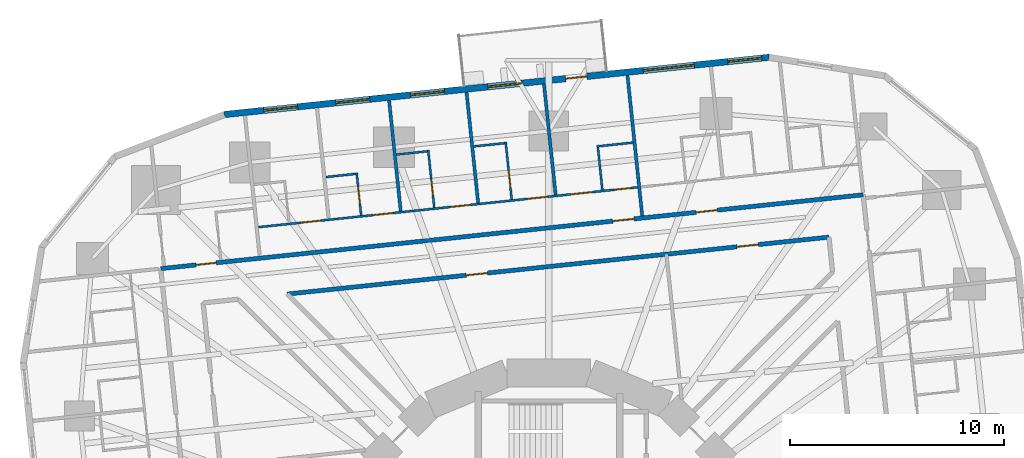
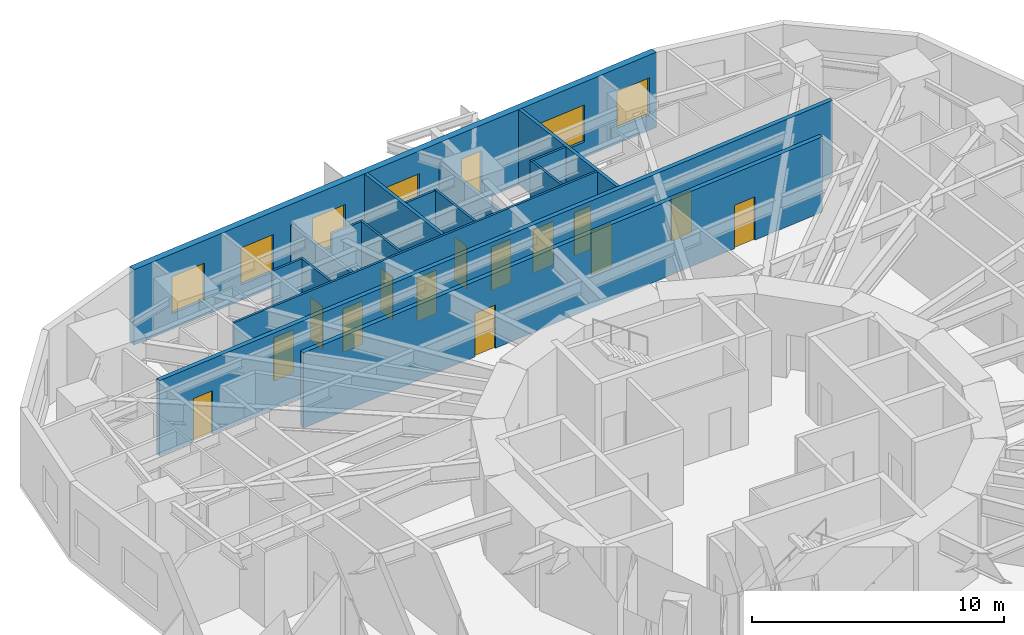
# One storey, part 11 of 15: 16 walls, 15 doors, 6 windows, 21 openings.
"""IFC4 building model written with IfcOpenShell, lengths in metres."""

from ifc_helpers import new_model, si_unit, direction, frame, frame_2d, origin, place, context, subcontext, project, spatial, rectangle, extrude, material, layer, layer_set, type_object, element, fill, save


model = new_model("IFC4")

# Units and contexts
model_context = context("Model", 3, precision=1e-05, world=origin(), true_north=direction((0.0, 1.0)))
body_context = subcontext(model_context, "Body", "Model", "MODEL_VIEW")
ifc_project = project(units=[si_unit("LENGTHUNIT", "METRE"), si_unit("AREAUNIT", "SQUARE_METRE"), si_unit("VOLUMEUNIT", "CUBIC_METRE"), si_unit("PLANEANGLEUNIT", "RADIAN"), si_unit("MASSUNIT", "GRAM", prefix="KILO")], contexts=[model_context])

# Site, building, storey
site_placement = place(None, origin())
site = spatial("IfcSite", under=ifc_project, at=site_placement, CompositionType="ELEMENT")
building_placement = place(site_placement, origin())
building = spatial("IfcBuilding", under=site, at=building_placement, Name="Nakasero Lantern House", CompositionType="ELEMENT")
storey_placement = place(building_placement, frame((0.0, 0.0, 64.35009765625)))
storey = spatial("IfcBuildingStorey", under=building, at=storey_placement, Name="L15", CompositionType="ELEMENT", Elevation=64.35009765625)

# Wall, openings, doors
ifc_material_1 = material(Name="Blockwork", Category="masonry")
ifc_layer_1 = layer(ifc_material_1, 0.10009765625)
ifc_layer_set_1 = layer_set([ifc_layer_1], Name="Cluster hall wall 100")
wall_type_1 = type_object("IfcWallType", Name="Cluster hall wall 100", PredefinedType="PARTITIONING", material=ifc_layer_set_1)
wall_1_placement = place(storey_placement, frame((4.143798828125, 18.484375, 0.0), z_axis=(0.0, 0.0, 1.0), x_axis=(-0.994522331519, -0.104524313484, 0.0)))
wall_1 = element("IfcWall", 1, at=wall_1_placement, inside=storey, type_object=wall_type_1, Name="Cluster hall wall L15 HW1-1", PredefinedType="PARTITIONING", context=body_context, shape_type="SweptSolid", body=[
    extrude(rectangle(XDim=17.8193359375, YDim=0.10009765625, at=frame_2d((8.90966796875, 0.0))), origin(), (0.0, 0.0, 1.0), 3.64990234375),
])
opening_1_placement = place(wall_1_placement, frame((2.125, 0.0, 0.0)))
opening_1 = element("IfcOpeningElement", 2, at=opening_1_placement, cuts=wall_1, Name="Opening D03", PredefinedType="OPENING", context=body_context, shape_type="SweptSolid", body=[
    extrude(rectangle(XDim=1.0, YDim=2.10009765625, at=frame_2d((0.5, 1.050048828125))), frame((0.0, 0.070068359375, 0.0), z_axis=(0.0, -1.0, 0.0), x_axis=(1.0, 0.0, 0.0)), (0.0, 0.0, 1.0), 0.14013671875),
])
opening_2_placement = place(wall_1_placement, frame((0.300048828125, 0.0, 0.0)))
opening_2 = element("IfcOpeningElement", 3, at=opening_2_placement, cuts=wall_1, Name="Opening D02", PredefinedType="OPENING", context=body_context, shape_type="SweptSolid", body=[
    extrude(rectangle(XDim=0.800048828125, YDim=2.10009765625, at=frame_2d((0.39990234375, 1.050048828125))), frame((0.0, 0.070068359375, 0.0), z_axis=(0.0, -1.0, 0.0), x_axis=(1.0, 0.0, 0.0)), (0.0, 0.0, 1.0), 0.14013671875),
])
opening_3_placement = place(wall_1_placement, frame((4.22119140625, 0.0, 0.0)))
opening_3 = element("IfcOpeningElement", 4, at=opening_3_placement, cuts=wall_1, Name="Opening D01", PredefinedType="OPENING", context=body_context, shape_type="SweptSolid", body=[
    extrude(rectangle(XDim=0.949951171875, YDim=2.10009765625, at=frame_2d((0.47509765625, 1.050048828125))), frame((0.0, 0.070068359375, 0.0), z_axis=(0.0, -1.0, 0.0), x_axis=(1.0, 0.0, 0.0)), (0.0, 0.0, 1.0), 0.14013671875),
])
opening_4_placement = place(wall_1_placement, frame((7.859619140625, 0.0, 0.0)))
opening_4 = element("IfcOpeningElement", 5, at=opening_4_placement, cuts=wall_1, Name="Opening D01", PredefinedType="OPENING", context=body_context, shape_type="SweptSolid", body=[
    extrude(rectangle(XDim=0.949951171875, YDim=2.10009765625, at=frame_2d((0.47509765625, 1.050048828125))), frame((0.0, 0.070068359375, 0.0), z_axis=(0.0, -1.0, 0.0), x_axis=(1.0, 0.0, 0.0)), (0.0, 0.0, 1.0), 0.14013671875),
])
opening_5_placement = place(wall_1_placement, frame((11.498291015625, 0.0, 0.0)))
opening_5 = element("IfcOpeningElement", 6, at=opening_5_placement, cuts=wall_1, Name="Opening D01", PredefinedType="OPENING", context=body_context, shape_type="SweptSolid", body=[
    extrude(rectangle(XDim=0.949951171875, YDim=2.10009765625, at=frame_2d((0.47509765625, 1.050048828125))), frame((0.0, 0.070068359375, 0.0), z_axis=(0.0, -1.0, 0.0), x_axis=(1.0, 0.0, 0.0)), (0.0, 0.0, 1.0), 0.14013671875),
])
opening_6_placement = place(wall_1_placement, frame((14.8837890625, 0.0, 0.0)))
opening_6 = element("IfcOpeningElement", 7, at=opening_6_placement, cuts=wall_1, Name="Opening D01", PredefinedType="OPENING", context=body_context, shape_type="SweptSolid", body=[
    extrude(rectangle(XDim=0.949951171875, YDim=2.10009765625, at=frame_2d((0.47509765625, 1.050048828125))), frame((0.0, 0.070068359375, 0.0), z_axis=(0.0, -1.0, 0.0), x_axis=(1.0, 0.0, 0.0)), (0.0, 0.0, 1.0), 0.14013671875),
])
ifc_material_2 = material(Name="Timber C24", Category="wood")
door_type_1 = type_object("IfcDoorType", Name="Bedroom door FD30S 950", OperationType="SINGLE_SWING_LEFT", PredefinedType="DOOR", material=ifc_material_2)
door_1_placement = place(opening_3_placement, origin())
door_1 = element("IfcDoor", 8, at=door_1_placement, inside=storey, type_object=door_type_1, Name="Door L15 D1-04", OperationType="SINGLE_SWING_LEFT", OverallHeight=2.10009765625, OverallWidth=0.949951171875, PredefinedType="DOOR", context=body_context, shape_type="SweptSolid", body=[
    extrude(rectangle(XDim=0.949951171875, YDim=2.10009765625, at=frame_2d((0.47509765625, 1.050048828125))), frame((0.0, 0.02490234375, 0.0), z_axis=(0.0, -1.0, 0.0), x_axis=(1.0, 0.0, 0.0)), (0.0, 0.0, 1.0), 0.050048828125),
])
fill(opening_3, door_1)
door_2_placement = place(opening_4_placement, origin())
door_2 = element("IfcDoor", 9, at=door_2_placement, inside=storey, type_object=door_type_1, Name="Door L15 D1-05", OperationType="SINGLE_SWING_LEFT", OverallHeight=2.10009765625, OverallWidth=0.949951171875, PredefinedType="DOOR", context=body_context, shape_type="SweptSolid", body=[
    extrude(rectangle(XDim=0.949951171875, YDim=2.10009765625, at=frame_2d((0.47509765625, 1.050048828125))), frame((0.0, 0.02490234375, 0.0), z_axis=(0.0, -1.0, 0.0), x_axis=(1.0, 0.0, 0.0)), (0.0, 0.0, 1.0), 0.050048828125),
])
fill(opening_4, door_2)
door_3_placement = place(opening_5_placement, origin())
door_3 = element("IfcDoor", 10, at=door_3_placement, inside=storey, type_object=door_type_1, Name="Door L15 D1-06", OperationType="SINGLE_SWING_RIGHT", OverallHeight=2.10009765625, OverallWidth=0.949951171875, PredefinedType="DOOR", context=body_context, shape_type="SweptSolid", body=[
    extrude(rectangle(XDim=0.949951171875, YDim=2.10009765625, at=frame_2d((0.47509765625, 1.050048828125))), frame((0.0, 0.02490234375, 0.0), z_axis=(0.0, -1.0, 0.0), x_axis=(1.0, 0.0, 0.0)), (0.0, 0.0, 1.0), 0.050048828125),
])
fill(opening_5, door_3)
door_4_placement = place(opening_6_placement, origin())
door_4 = element("IfcDoor", 11, at=door_4_placement, inside=storey, type_object=door_type_1, Name="Door L15 D1-07", OperationType="SINGLE_SWING_RIGHT", OverallHeight=2.10009765625, OverallWidth=0.949951171875, PredefinedType="DOOR", context=body_context, shape_type="SweptSolid", body=[
    extrude(rectangle(XDim=0.949951171875, YDim=2.10009765625, at=frame_2d((0.47509765625, 1.050048828125))), frame((0.0, 0.02490234375, 0.0), z_axis=(0.0, -1.0, 0.0), x_axis=(1.0, 0.0, 0.0)), (0.0, 0.0, 1.0), 0.050048828125),
])
fill(opening_6, door_4)
ifc_material_3 = material(Name="Timber C24", Category="wood")
door_type_2 = type_object("IfcDoorType", Name="En-suite door 800", OperationType="SINGLE_SWING_RIGHT", PredefinedType="DOOR", material=ifc_material_3)
door_5_placement = place(opening_2_placement, origin())
door_5 = element("IfcDoor", 12, at=door_5_placement, inside=storey, type_object=door_type_2, Name="Door L15 DSH1-1", OperationType="SINGLE_SWING_LEFT", OverallHeight=2.10009765625, OverallWidth=0.800048828125, PredefinedType="DOOR", context=body_context, shape_type="SweptSolid", body=[
    extrude(rectangle(XDim=0.800048828125, YDim=2.10009765625, at=frame_2d((0.39990234375, 1.050048828125))), frame((0.0, 0.02490234375, 0.0), z_axis=(0.0, -1.0, 0.0), x_axis=(1.0, 0.0, 0.0)), (0.0, 0.0, 1.0), 0.050048828125),
])
fill(opening_2, door_5)
ifc_material_4 = material(Name="Timber C24", Category="wood")
door_type_3 = type_object("IfcDoorType", Name="Lounge door FD30S 1000", OperationType="SINGLE_SWING_LEFT", PredefinedType="DOOR", material=ifc_material_4)
door_6_placement = place(opening_1_placement, origin())
door_6 = element("IfcDoor", 13, at=door_6_placement, inside=storey, type_object=door_type_3, Name="Door L15 DH1-1", OperationType="SINGLE_SWING_LEFT", OverallHeight=2.10009765625, OverallWidth=1.0, PredefinedType="DOOR", context=body_context, shape_type="SweptSolid", body=[
    extrude(rectangle(XDim=1.0, YDim=2.10009765625, at=frame_2d((0.5, 1.050048828125))), frame((0.0, 0.02490234375, 0.0), z_axis=(0.0, -1.0, 0.0), x_axis=(1.0, 0.0, 0.0)), (0.0, 0.0, 1.0), 0.050048828125),
])
fill(opening_1, door_6)

ifc_material_5 = material(Name="Blockwork", Category="masonry")
ifc_layer_2 = layer(ifc_material_5, 0.199951171875)
ifc_layer_set_2 = layer_set([ifc_layer_2], Name="Corridor wall 200")
wall_type_2 = type_object("IfcWallType", Name="Corridor wall 200", PredefinedType="PARTITIONING", material=ifc_layer_set_2)
wall_2_placement = place(storey_placement, frame((14.684814453125, 18.13427734375, 0.0), z_axis=(0.0, 0.0, 1.0), x_axis=(-0.994521777723, -0.10452958258, 0.0)))
wall_2 = element("IfcWall", 14, at=wall_2_placement, inside=storey, type_object=wall_type_2, Name="Corridor wall L15 CW1", PredefinedType="PARTITIONING", context=body_context, shape_type="SweptSolid", body=[
    extrude(rectangle(XDim=32.999755859375, YDim=0.199951171875, at=frame_2d((16.5, 0.0))), origin(), (0.0, 0.0, 1.0), 3.64990234375),
])
opening_7_placement = place(wall_2_placement, frame((6.8505859375, 0.0, 0.0)))
opening_7 = element("IfcOpeningElement", 15, at=opening_7_placement, cuts=wall_2, Name="Opening D14", PredefinedType="OPENING", context=body_context, shape_type="SweptSolid", body=[
    extrude(rectangle(XDim=1.0, YDim=2.10009765625, at=frame_2d((0.5, 1.050048828125))), frame((0.0, 0.119873046875, 0.0), z_axis=(0.0, -1.0, 0.0), x_axis=(1.0, 0.0, 0.0)), (0.0, 0.0, 1.0), 0.239990234375),
])
opening_8_placement = place(wall_2_placement, frame((10.771728515625, 0.0, 0.0)))
opening_8 = element("IfcOpeningElement", 16, at=opening_8_placement, cuts=wall_2, Name="Opening D14", PredefinedType="OPENING", context=body_context, shape_type="SweptSolid", body=[
    extrude(rectangle(XDim=1.0, YDim=2.10009765625, at=frame_2d((0.5, 1.050048828125))), frame((0.0, 0.119873046875, 0.0), z_axis=(0.0, -1.0, 0.0), x_axis=(1.0, 0.0, 0.0)), (0.0, 0.0, 1.0), 0.239990234375),
])
opening_9_placement = place(wall_2_placement, frame((30.39111328125, 0.0, 0.0)))
opening_9 = element("IfcOpeningElement", 17, at=opening_9_placement, cuts=wall_2, Name="Opening D01", PredefinedType="OPENING", context=body_context, shape_type="SweptSolid", body=[
    extrude(rectangle(XDim=0.949951171875, YDim=2.10009765625, at=frame_2d((0.47509765625, 1.050048828125))), frame((0.0, 0.119873046875, 0.0), z_axis=(0.0, -1.0, 0.0), x_axis=(1.0, 0.0, 0.0)), (0.0, 0.0, 1.0), 0.239990234375),
])
door_7_placement = place(opening_9_placement, origin())
door_7 = element("IfcDoor", 18, at=door_7_placement, inside=storey, type_object=door_type_1, Name="Door L15 D1-08", OperationType="SINGLE_SWING_RIGHT", OverallHeight=2.10009765625, OverallWidth=0.949951171875, PredefinedType="DOOR", context=body_context, shape_type="SweptSolid", body=[
    extrude(rectangle(XDim=0.949951171875, YDim=2.10009765625, at=frame_2d((0.47509765625, 1.050048828125))), frame((0.0, 0.02490234375, 0.0), z_axis=(0.0, -1.0, 0.0), x_axis=(1.0, 0.0, 0.0)), (0.0, 0.0, 1.0), 0.050048828125),
])
fill(opening_9, door_7)
ifc_material_6 = material(Name="Timber C24", Category="wood")
door_type_4 = type_object("IfcDoorType", Name="Cluster entrance door FD30S 1000", OperationType="SINGLE_SWING_LEFT", PredefinedType="DOOR", material=ifc_material_6)
door_8_placement = place(opening_7_placement, origin())
door_8 = element("IfcDoor", 19, at=door_8_placement, inside=storey, type_object=door_type_4, Name="Door L15 DF1-0", OperationType="SINGLE_SWING_LEFT", OverallHeight=2.10009765625, OverallWidth=1.0, PredefinedType="DOOR", context=body_context, shape_type="SweptSolid", body=[
    extrude(rectangle(XDim=1.0, YDim=2.10009765625, at=frame_2d((0.5, 1.050048828125))), frame((0.0, 0.02490234375, 0.0), z_axis=(0.0, -1.0, 0.0), x_axis=(1.0, 0.0, 0.0)), (0.0, 0.0, 1.0), 0.050048828125),
])
fill(opening_7, door_8)
door_9_placement = place(opening_8_placement, origin())
door_9 = element("IfcDoor", 20, at=door_9_placement, inside=storey, type_object=door_type_4, Name="Door L15 DF1-1", OperationType="SINGLE_SWING_LEFT", OverallHeight=2.10009765625, OverallWidth=1.0, PredefinedType="DOOR", context=body_context, shape_type="SweptSolid", body=[
    extrude(rectangle(XDim=1.0, YDim=2.10009765625, at=frame_2d((0.5, 1.050048828125))), frame((0.0, 0.02490234375, 0.0), z_axis=(0.0, -1.0, 0.0), x_axis=(1.0, 0.0, 0.0)), (0.0, 0.0, 1.0), 0.050048828125),
])
fill(opening_8, door_9)

wall_3_placement = place(storey_placement, frame((13.0830078125, 16.156005859375, 0.0), z_axis=(0.0, 0.0, 1.0), x_axis=(-0.994522473358, -0.104522963916, 0.0)))
wall_3 = element("IfcWall", 21, at=wall_3_placement, inside=storey, type_object=wall_type_2, Name="Corridor wall L15 IW1-0", PredefinedType="PARTITIONING", context=body_context, shape_type="SweptSolid", body=[
    extrude(rectangle(XDim=25.44580078125, YDim=0.199951171875, at=frame_2d((12.722900390625, 0.0))), origin(), (0.0, 0.0, 1.0), 3.64990234375),
])
opening_10_placement = place(wall_3_placement, frame((3.31689453125, 0.0, 0.0)))
opening_10 = element("IfcOpeningElement", 22, at=opening_10_placement, cuts=wall_3, Name="Opening D07", PredefinedType="OPENING", context=body_context, shape_type="SweptSolid", body=[
    extrude(rectangle(XDim=1.0, YDim=2.10009765625, at=frame_2d((0.5, 1.050048828125))), frame((0.0, 0.119873046875, 0.0), z_axis=(0.0, -1.0, 0.0), x_axis=(1.0, 0.0, 0.0)), (0.0, 0.0, 1.0), 0.239990234375),
])
opening_11_placement = place(wall_3_placement, frame((16.039794921875, 0.0, 0.0)))
opening_11 = element("IfcOpeningElement", 23, at=opening_11_placement, cuts=wall_3, Name="Opening D07", PredefinedType="OPENING", context=body_context, shape_type="SweptSolid", body=[
    extrude(rectangle(XDim=1.0, YDim=2.10009765625, at=frame_2d((0.5, 1.050048828125))), frame((0.0, 0.119873046875, 0.0), z_axis=(0.0, -1.0, 0.0), x_axis=(1.0, 0.0, 0.0)), (0.0, 0.0, 1.0), 0.239990234375),
])
ifc_material_7 = material(Name="Timber C24", Category="wood")
door_type_5 = type_object("IfcDoorType", Name="Room door FD30S 1000", OperationType="SINGLE_SWING_LEFT", PredefinedType="DOOR", material=ifc_material_7)
door_10_placement = place(opening_10_placement, origin())
door_10 = element("IfcDoor", 24, at=door_10_placement, inside=storey, type_object=door_type_5, Name="Door L15 DI2", OperationType="SINGLE_SWING_LEFT", OverallHeight=2.10009765625, OverallWidth=1.0, PredefinedType="DOOR", context=body_context, shape_type="SweptSolid", body=[
    extrude(rectangle(XDim=1.0, YDim=2.10009765625, at=frame_2d((0.5, 1.050048828125))), frame((0.0, 0.02490234375, 0.0), z_axis=(0.0, -1.0, 0.0), x_axis=(1.0, 0.0, 0.0)), (0.0, 0.0, 1.0), 0.050048828125),
])
fill(opening_10, door_10)
door_11_placement = place(opening_11_placement, origin())
door_11 = element("IfcDoor", 25, at=door_11_placement, inside=storey, type_object=door_type_5, Name="Door L15 DI2S", OperationType="SINGLE_SWING_RIGHT", OverallHeight=2.10009765625, OverallWidth=1.0, PredefinedType="DOOR", context=body_context, shape_type="SweptSolid", body=[
    extrude(rectangle(XDim=1.0, YDim=2.10009765625, at=frame_2d((0.5, 1.050048828125))), frame((0.0, 0.02490234375, 0.0), z_axis=(0.0, -1.0, 0.0), x_axis=(1.0, 0.0, 0.0)), (0.0, 0.0, 1.0), 0.050048828125),
])
fill(opening_11, door_11)

# Walls
ifc_material_8 = material(Name="Blockwork", Category="masonry")
ifc_layer_3 = layer(ifc_material_8, 0.10009765625)
ifc_layer_set_3 = layer_set([ifc_layer_3], Name="En-suite wall 100")
wall_type_3 = type_object("IfcWallType", Name="En-suite wall 100", PredefinedType="PARTITIONING", material=ifc_layer_set_3)
wall_4_placement = place(storey_placement, frame((2.49755859375, 18.361572265625, 0.0), z_axis=(0.0, 0.0, 1.0), x_axis=(-0.104509292252, 0.994523910136, 0.0)))
element("IfcWall", 26, at=wall_4_placement, inside=storey, type_object=wall_type_3, Name="En-suite wall L15 SS1-1", PredefinedType="PARTITIONING", context=body_context, shape_type="SweptSolid", body=[
    extrude(rectangle(XDim=2.10009765625, YDim=0.10009765625, at=frame_2d((1.050048828125, 0.0))), origin(), (0.0, 0.0, 1.0), 3.64990234375),
])
wall_5_placement = place(storey_placement, frame((3.92431640625, 20.572998046875, 0.0), z_axis=(0.0, 0.0, 1.0), x_axis=(-0.994519608382, -0.104550220202, 0.0)))
element("IfcWall", 27, at=wall_5_placement, inside=storey, type_object=wall_type_3, Name="En-suite wall L15 SE1-1", PredefinedType="PARTITIONING", context=body_context, shape_type="SweptSolid", body=[
    extrude(rectangle(XDim=1.699951171875, YDim=0.10009765625, at=frame_2d((0.85009765625, 0.0))), origin(), (0.0, 0.0, 1.0), 3.64990234375),
])

# Wall, opening, door
wall_6_placement = place(storey_placement, frame((-1.73876953125, 17.91650390625, 0.0), z_axis=(0.0, 0.0, 1.0), x_axis=(-0.104534153452, 0.994521297289, 0.0)))
wall_6 = element("IfcWall", 28, at=wall_6_placement, inside=storey, type_object=wall_type_3, Name="En-suite wall L15 ES1-04", PredefinedType="PARTITIONING", context=body_context, shape_type="SweptSolid", body=[
    extrude(rectangle(XDim=2.699951171875, YDim=0.10009765625, at=frame_2d((1.35009765625, 0.0))), origin(), (0.0, 0.0, 1.0), 3.64990234375),
])
opening_12_placement = place(wall_6_placement, frame((0.550048828125, 0.0, 0.0)))
opening_12 = element("IfcOpeningElement", 29, at=opening_12_placement, cuts=wall_6, Name="Opening D02", PredefinedType="OPENING", context=body_context, shape_type="SweptSolid", body=[
    extrude(rectangle(XDim=0.800048828125, YDim=2.10009765625, at=frame_2d((0.39990234375, 1.050048828125))), frame((0.0, 0.070068359375, 0.0), z_axis=(0.0, -1.0, 0.0), x_axis=(1.0, 0.0, 0.0)), (0.0, 0.0, 1.0), 0.14013671875),
])
door_12_placement = place(opening_12_placement, origin())
door_12 = element("IfcDoor", 30, at=door_12_placement, inside=storey, type_object=door_type_2, Name="Door L15 DE1-04", OperationType="SINGLE_SWING_LEFT", OverallHeight=2.10009765625, OverallWidth=0.800048828125, PredefinedType="DOOR", context=body_context, shape_type="SweptSolid", body=[
    extrude(rectangle(XDim=0.800048828125, YDim=2.10009765625, at=frame_2d((0.39990234375, 1.050048828125))), frame((0.0, 0.02490234375, 0.0), z_axis=(0.0, -1.0, 0.0), x_axis=(1.0, 0.0, 0.0)), (0.0, 0.0, 1.0), 0.050048828125),
])
fill(opening_12, door_12)

# Wall
wall_7_placement = place(storey_placement, frame((-2.0654296875, 20.546630859375, 0.0), z_axis=(0.0, 0.0, 1.0), x_axis=(-0.994519282274, -0.10455332221, 0.0)))
element("IfcWall", 31, at=wall_7_placement, inside=storey, type_object=wall_type_3, Name="En-suite wall L15 EE1-04", PredefinedType="PARTITIONING", context=body_context, shape_type="SweptSolid", body=[
    extrude(rectangle(XDim=1.4501953125, YDim=0.10009765625, at=frame_2d((0.72509765625, 0.0))), origin(), (0.0, 0.0, 1.0), 3.64990234375),
])

# Wall, opening, door
wall_8_placement = place(storey_placement, frame((-5.357421875, 17.5361328125, 0.0), z_axis=(0.0, 0.0, 1.0), x_axis=(-0.104534153452, 0.994521297289, 0.0)))
wall_8 = element("IfcWall", 32, at=wall_8_placement, inside=storey, type_object=wall_type_3, Name="En-suite wall L15 ES1-05", PredefinedType="PARTITIONING", context=body_context, shape_type="SweptSolid", body=[
    extrude(rectangle(XDim=2.699951171875, YDim=0.10009765625, at=frame_2d((1.35009765625, 0.0))), origin(), (0.0, 0.0, 1.0), 3.64990234375),
])
opening_13_placement = place(wall_8_placement, frame((0.550048828125, 0.0, 0.0)))
opening_13 = element("IfcOpeningElement", 33, at=opening_13_placement, cuts=wall_8, Name="Opening D02", PredefinedType="OPENING", context=body_context, shape_type="SweptSolid", body=[
    extrude(rectangle(XDim=0.800048828125, YDim=2.10009765625, at=frame_2d((0.39990234375, 1.050048828125))), frame((0.0, 0.070068359375, 0.0), z_axis=(0.0, -1.0, 0.0), x_axis=(1.0, 0.0, 0.0)), (0.0, 0.0, 1.0), 0.14013671875),
])
door_13_placement = place(opening_13_placement, origin())
door_13 = element("IfcDoor", 34, at=door_13_placement, inside=storey, type_object=door_type_2, Name="Door L15 DE1-05", OperationType="SINGLE_SWING_LEFT", OverallHeight=2.10009765625, OverallWidth=0.800048828125, PredefinedType="DOOR", context=body_context, shape_type="SweptSolid", body=[
    extrude(rectangle(XDim=0.800048828125, YDim=2.10009765625, at=frame_2d((0.39990234375, 1.050048828125))), frame((0.0, 0.02490234375, 0.0), z_axis=(0.0, -1.0, 0.0), x_axis=(1.0, 0.0, 0.0)), (0.0, 0.0, 1.0), 0.050048828125),
])
fill(opening_13, door_13)

# Wall
wall_9_placement = place(storey_placement, frame((-5.68408203125, 20.166259765625, 0.0), z_axis=(0.0, 0.0, 1.0), x_axis=(-0.994519282274, -0.10455332221, 0.0)))
element("IfcWall", 35, at=wall_9_placement, inside=storey, type_object=wall_type_3, Name="En-suite wall L15 EE1-05", PredefinedType="PARTITIONING", context=body_context, shape_type="SweptSolid", body=[
    extrude(rectangle(XDim=1.4501953125, YDim=0.10009765625, at=frame_2d((0.72509765625, 0.0))), origin(), (0.0, 0.0, 1.0), 3.64990234375),
])

# Wall, opening, door
wall_10_placement = place(storey_placement, frame((-8.774169921875, 17.177001953125, 0.0), z_axis=(0.0, 0.0, 1.0), x_axis=(-0.104494148666, 0.99452550138, 0.0)))
wall_10 = element("IfcWall", 36, at=wall_10_placement, inside=storey, type_object=wall_type_3, Name="En-suite wall L15 ES1-06", PredefinedType="PARTITIONING", context=body_context, shape_type="SweptSolid", body=[
    extrude(rectangle(XDim=2.0, YDim=0.10009765625, at=frame_2d((1.0, 0.0))), origin(), (0.0, 0.0, 1.0), 3.64990234375),
])
opening_14_placement = place(wall_10_placement, frame((0.550048828125, 0.0, 0.0)))
opening_14 = element("IfcOpeningElement", 37, at=opening_14_placement, cuts=wall_10, Name="Opening D02", PredefinedType="OPENING", context=body_context, shape_type="SweptSolid", body=[
    extrude(rectangle(XDim=0.800048828125, YDim=2.10009765625, at=frame_2d((0.39990234375, 1.050048828125))), frame((0.0, 0.070068359375, 0.0), z_axis=(0.0, -1.0, 0.0), x_axis=(1.0, 0.0, 0.0)), (0.0, 0.0, 1.0), 0.14013671875),
])
door_14_placement = place(opening_14_placement, origin())
door_14 = element("IfcDoor", 38, at=door_14_placement, inside=storey, type_object=door_type_2, Name="Door L15 DE1-06", OperationType="SINGLE_SWING_LEFT", OverallHeight=2.10009765625, OverallWidth=0.800048828125, PredefinedType="DOOR", context=body_context, shape_type="SweptSolid", body=[
    extrude(rectangle(XDim=0.800048828125, YDim=2.10009765625, at=frame_2d((0.39990234375, 1.050048828125))), frame((0.0, 0.02490234375, 0.0), z_axis=(0.0, -1.0, 0.0), x_axis=(1.0, 0.0, 0.0)), (0.0, 0.0, 1.0), 0.050048828125),
])
fill(opening_14, door_14)

# Wall
wall_11_placement = place(storey_placement, frame((-9.027587890625, 19.111083984375, 0.0), z_axis=(0.0, 0.0, 1.0), x_axis=(-0.994511184598, -0.104630319263, 0.0)))
element("IfcWall", 39, at=wall_11_placement, inside=storey, type_object=wall_type_3, Name="En-suite wall L15 EE1-06", PredefinedType="PARTITIONING", context=body_context, shape_type="SweptSolid", body=[
    extrude(rectangle(XDim=1.39990234375, YDim=0.10009765625, at=frame_2d((0.699951171875, 0.0))), origin(), (0.0, 0.0, 1.0), 3.64990234375),
])

# Wall, openings, door, windows
ifc_material_9 = material(Name="Aluminium rainscreen on blockwork", Category="masonry")
ifc_layer_4 = layer(ifc_material_9, 0.300048828125)
ifc_layer_set_4 = layer_set([ifc_layer_4], Name="Facade wall 300")
wall_type_4 = type_object("IfcWallType", Name="Facade wall 300", PredefinedType="SOLIDWALL", material=ifc_layer_set_4)
wall_12_placement = place(storey_placement, frame((10.2890625, 24.56005859375, 0.0), z_axis=(0.0, 0.0, 1.0), x_axis=(-0.994521483895, -0.104532378096, 0.0)))
wall_12 = element("IfcWall", 40, at=wall_12_placement, inside=storey, type_object=wall_type_4, Name="Facade wall L15 FW1S", PredefinedType="SOLIDWALL", context=body_context, shape_type="SweptSolid", body=[
    extrude(rectangle(XDim=25.599853515625, YDim=0.300048828125, at=frame_2d((12.7998046875, 0.0))), origin(), (0.0, 0.0, 1.0), 3.64990234375),
])
opening_15_placement = place(wall_12_placement, frame((0.337890625, 0.0, 0.75)))
opening_15 = element("IfcOpeningElement", 41, at=opening_15_placement, cuts=wall_12, Name="Opening W01", PredefinedType="OPENING", context=body_context, shape_type="SweptSolid", body=[
    extrude(rectangle(XDim=1.60009765625, YDim=1.800048828125, at=frame_2d((0.800048828125, 0.89990234375))), frame((0.0, 0.169921875, 0.0), z_axis=(0.0, -1.0, 0.0), x_axis=(1.0, 0.0, 0.0)), (0.0, 0.0, 1.0), 0.340087890625),
])
opening_16_placement = place(wall_12_placement, frame((11.612060546875, 0.0, 0.75)))
opening_16 = element("IfcOpeningElement", 42, at=opening_16_placement, cuts=wall_12, Name="Opening W01", PredefinedType="OPENING", context=body_context, shape_type="SweptSolid", body=[
    extrude(rectangle(XDim=1.60009765625, YDim=1.800048828125, at=frame_2d((0.800048828125, 0.89990234375))), frame((0.0, 0.169921875, 0.0), z_axis=(0.0, -1.0, 0.0), x_axis=(1.0, 0.0, 0.0)), (0.0, 0.0, 1.0), 0.340087890625),
])
opening_17_placement = place(wall_12_placement, frame((15.250732421875, 0.0, 0.75)))
opening_17 = element("IfcOpeningElement", 43, at=opening_17_placement, cuts=wall_12, Name="Opening W01", PredefinedType="OPENING", context=body_context, shape_type="SweptSolid", body=[
    extrude(rectangle(XDim=1.60009765625, YDim=1.800048828125, at=frame_2d((0.800048828125, 0.89990234375))), frame((0.0, 0.169921875, 0.0), z_axis=(0.0, -1.0, 0.0), x_axis=(1.0, 0.0, 0.0)), (0.0, 0.0, 1.0), 0.340087890625),
])
opening_18_placement = place(wall_12_placement, frame((18.7626953125, 0.0, 0.75)))
opening_18 = element("IfcOpeningElement", 44, at=opening_18_placement, cuts=wall_12, Name="Opening W01", PredefinedType="OPENING", context=body_context, shape_type="SweptSolid", body=[
    extrude(rectangle(XDim=1.60009765625, YDim=1.800048828125, at=frame_2d((0.800048828125, 0.89990234375))), frame((0.0, 0.169921875, 0.0), z_axis=(0.0, -1.0, 0.0), x_axis=(1.0, 0.0, 0.0)), (0.0, 0.0, 1.0), 0.340087890625),
])
opening_19_placement = place(wall_12_placement, frame((22.1484375, 0.0, 0.75)))
opening_19 = element("IfcOpeningElement", 45, at=opening_19_placement, cuts=wall_12, Name="Opening W01", PredefinedType="OPENING", context=body_context, shape_type="SweptSolid", body=[
    extrude(rectangle(XDim=1.60009765625, YDim=1.800048828125, at=frame_2d((0.800048828125, 0.89990234375))), frame((0.0, 0.169921875, 0.0), z_axis=(0.0, -1.0, 0.0), x_axis=(1.0, 0.0, 0.0)), (0.0, 0.0, 1.0), 0.340087890625),
])
opening_20_placement = place(wall_12_placement, frame((3.51123046875, 0.0, 0.75)))
opening_20 = element("IfcOpeningElement", 46, at=opening_20_placement, cuts=wall_12, Name="Opening W03", PredefinedType="OPENING", context=body_context, shape_type="SweptSolid", body=[
    extrude(rectangle(XDim=2.39990234375, YDim=1.800048828125, at=frame_2d((1.199951171875, 0.89990234375))), frame((0.0, 0.169921875, 0.0), z_axis=(0.0, -1.0, 0.0), x_axis=(1.0, 0.0, 0.0)), (0.0, 0.0, 1.0), 0.340087890625),
])
opening_21_placement = place(wall_12_placement, frame((8.558837890625, 0.0, 0.0)))
opening_21 = element("IfcOpeningElement", 47, at=opening_21_placement, cuts=wall_12, Name="Opening D04", PredefinedType="OPENING", context=body_context, shape_type="SweptSolid", body=[
    extrude(rectangle(XDim=1.0, YDim=2.39990234375, at=frame_2d((0.5, 1.199951171875))), frame((0.0, 0.169921875, 0.0), z_axis=(0.0, -1.0, 0.0), x_axis=(1.0, 0.0, 0.0)), (0.0, 0.0, 1.0), 0.340087890625),
])
ifc_material_10 = material(Name="Aluminium 6063-T6 and glass", Category="aluminium")
door_type_6 = type_object("IfcDoorType", Name="Balcony door 1000x2400", OperationType="SINGLE_SWING_RIGHT", PredefinedType="DOOR", material=ifc_material_10)
door_15_placement = place(opening_21_placement, origin())
door_15 = element("IfcDoor", 48, at=door_15_placement, inside=storey, type_object=door_type_6, Name="Balcony door L15 DB1", OperationType="SINGLE_SWING_RIGHT", OverallHeight=2.39990234375, OverallWidth=1.0, PredefinedType="DOOR", context=body_context, shape_type="SweptSolid", body=[
    extrude(rectangle(XDim=1.0, YDim=2.39990234375, at=frame_2d((0.5, 1.199951171875))), frame((0.0, 0.02490234375, 0.0), z_axis=(0.0, -1.0, 0.0), x_axis=(1.0, 0.0, 0.0)), (0.0, 0.0, 1.0), 0.050048828125),
])
fill(opening_21, door_15)
ifc_material_11 = material(Name="Aluminium 6063-T6 and glass", Category="aluminium")
window_type_1 = type_object("IfcWindowType", Name="Bedroom window 1600x1800", PartitioningType="SINGLE_PANEL", PredefinedType="WINDOW", material=ifc_material_11)
window_1_placement = place(opening_15_placement, origin())
window_1 = element("IfcWindow", 49, at=window_1_placement, inside=storey, type_object=window_type_1, Name="Window L15 WN1-01", OverallHeight=1.800048828125, OverallWidth=1.60009765625, PartitioningType="SINGLE_PANEL", PredefinedType="WINDOW", context=body_context, shape_type="SweptSolid", body=[
    extrude(rectangle(XDim=1.60009765625, YDim=1.800048828125, at=frame_2d((0.800048828125, 0.89990234375))), frame((0.0, 0.030029296875, 0.0), z_axis=(0.0, -1.0, 0.0), x_axis=(1.0, 0.0, 0.0)), (0.0, 0.0, 1.0), 0.06005859375),
])
fill(opening_15, window_1)
window_2_placement = place(opening_16_placement, origin())
window_2 = element("IfcWindow", 50, at=window_2_placement, inside=storey, type_object=window_type_1, Name="Window L15 WN1-04", OverallHeight=1.800048828125, OverallWidth=1.60009765625, PartitioningType="SINGLE_PANEL", PredefinedType="WINDOW", context=body_context, shape_type="SweptSolid", body=[
    extrude(rectangle(XDim=1.60009765625, YDim=1.800048828125, at=frame_2d((0.800048828125, 0.89990234375))), frame((0.0, 0.030029296875, 0.0), z_axis=(0.0, -1.0, 0.0), x_axis=(1.0, 0.0, 0.0)), (0.0, 0.0, 1.0), 0.06005859375),
])
fill(opening_16, window_2)
window_3_placement = place(opening_17_placement, origin())
window_3 = element("IfcWindow", 51, at=window_3_placement, inside=storey, type_object=window_type_1, Name="Window L15 WN1-05", OverallHeight=1.800048828125, OverallWidth=1.60009765625, PartitioningType="SINGLE_PANEL", PredefinedType="WINDOW", context=body_context, shape_type="SweptSolid", body=[
    extrude(rectangle(XDim=1.60009765625, YDim=1.800048828125, at=frame_2d((0.800048828125, 0.89990234375))), frame((0.0, 0.030029296875, 0.0), z_axis=(0.0, -1.0, 0.0), x_axis=(1.0, 0.0, 0.0)), (0.0, 0.0, 1.0), 0.06005859375),
])
fill(opening_17, window_3)
window_4_placement = place(opening_18_placement, origin())
window_4 = element("IfcWindow", 52, at=window_4_placement, inside=storey, type_object=window_type_1, Name="Window L15 WN1-06", OverallHeight=1.800048828125, OverallWidth=1.60009765625, PartitioningType="SINGLE_PANEL", PredefinedType="WINDOW", context=body_context, shape_type="SweptSolid", body=[
    extrude(rectangle(XDim=1.60009765625, YDim=1.800048828125, at=frame_2d((0.800048828125, 0.89990234375))), frame((0.0, 0.030029296875, 0.0), z_axis=(0.0, -1.0, 0.0), x_axis=(1.0, 0.0, 0.0)), (0.0, 0.0, 1.0), 0.06005859375),
])
fill(opening_18, window_4)
window_5_placement = place(opening_19_placement, origin())
window_5 = element("IfcWindow", 53, at=window_5_placement, inside=storey, type_object=window_type_1, Name="Window L15 WN1-07", OverallHeight=1.800048828125, OverallWidth=1.60009765625, PartitioningType="SINGLE_PANEL", PredefinedType="WINDOW", context=body_context, shape_type="SweptSolid", body=[
    extrude(rectangle(XDim=1.60009765625, YDim=1.800048828125, at=frame_2d((0.800048828125, 0.89990234375))), frame((0.0, 0.030029296875, 0.0), z_axis=(0.0, -1.0, 0.0), x_axis=(1.0, 0.0, 0.0)), (0.0, 0.0, 1.0), 0.06005859375),
])
fill(opening_19, window_5)
ifc_material_12 = material(Name="Aluminium 6063-T6 and glass", Category="aluminium")
window_type_2 = type_object("IfcWindowType", Name="Lounge window 2400x1800", PartitioningType="SINGLE_PANEL", PredefinedType="WINDOW", material=ifc_material_12)
window_6_placement = place(opening_20_placement, origin())
window_6 = element("IfcWindow", 54, at=window_6_placement, inside=storey, type_object=window_type_2, Name="Window L15 WK1", OverallHeight=1.800048828125, OverallWidth=2.39990234375, PartitioningType="SINGLE_PANEL", PredefinedType="WINDOW", context=body_context, shape_type="SweptSolid", body=[
    extrude(rectangle(XDim=2.39990234375, YDim=1.800048828125, at=frame_2d((1.199951171875, 0.89990234375))), frame((0.0, 0.030029296875, 0.0), z_axis=(0.0, -1.0, 0.0), x_axis=(1.0, 0.0, 0.0)), (0.0, 0.0, 1.0), 0.06005859375),
])
fill(opening_20, window_6)

# Walls
ifc_material_13 = material(Name="Blockwork", Category="masonry")
ifc_layer_5 = layer(ifc_material_13, 0.14990234375)
ifc_layer_set_5 = layer_set([ifc_layer_5], Name="Party wall 150")
wall_type_5 = type_object("IfcWallType", Name="Party wall 150", PredefinedType="PARTITIONING", material=ifc_layer_set_5)
wall_13_placement = place(storey_placement, frame((4.359619140625, 17.149658203125, 0.0), z_axis=(0.0, 0.0, 1.0), x_axis=(-0.104538438287, 0.994520846901, 0.0)))
element("IfcWall", 55, at=wall_13_placement, inside=storey, type_object=wall_type_5, Name="Party wall L15 PW1-03", PredefinedType="PARTITIONING", context=body_context, shape_type="SweptSolid", body=[
    extrude(rectangle(XDim=6.599853515625, YDim=0.14990234375, at=frame_2d((3.2998046875, 0.0))), origin(), (0.0, 0.0, 1.0), 3.64990234375),
])
wall_14_placement = place(storey_placement, frame((0.3134765625, 18.132080078125, 0.0), z_axis=(0.0, 0.0, 1.0), x_axis=(-0.104508820017, 0.994523959761, 0.0)))
element("IfcWall", 56, at=wall_14_placement, inside=storey, type_object=wall_type_5, Name="Party wall L15 PW1-04", PredefinedType="PARTITIONING", context=body_context, shape_type="SweptSolid", body=[
    extrude(rectangle(XDim=5.2001953125, YDim=0.14990234375, at=frame_2d((2.60009765625, 0.0))), origin(), (0.0, 0.0, 1.0), 2.659912109375),
])
wall_15_placement = place(storey_placement, frame((-3.30517578125, 17.751708984375, 0.0), z_axis=(0.0, 0.0, 1.0), x_axis=(-0.104508820017, 0.994523959761, 0.0)))
element("IfcWall", 57, at=wall_15_placement, inside=storey, type_object=wall_type_5, Name="Party wall L15 PW1-05", PredefinedType="PARTITIONING", context=body_context, shape_type="SweptSolid", body=[
    extrude(rectangle(XDim=5.2001953125, YDim=0.14990234375, at=frame_2d((2.60009765625, 0.0))), origin(), (0.0, 0.0, 1.0), 3.64990234375),
])
wall_16_placement = place(storey_placement, frame((-6.923828125, 17.371337890625, 0.0), z_axis=(0.0, 0.0, 1.0), x_axis=(-0.104508820017, 0.994523959761, 0.0)))
element("IfcWall", 58, at=wall_16_placement, inside=storey, type_object=wall_type_5, Name="Party wall L15 PW1-06", PredefinedType="PARTITIONING", context=body_context, shape_type="SweptSolid", body=[
    extrude(rectangle(XDim=5.2001953125, YDim=0.14990234375, at=frame_2d((2.60009765625, 0.0))), origin(), (0.0, 0.0, 1.0), 2.669921875),
])

save(model, "model.ifc")
